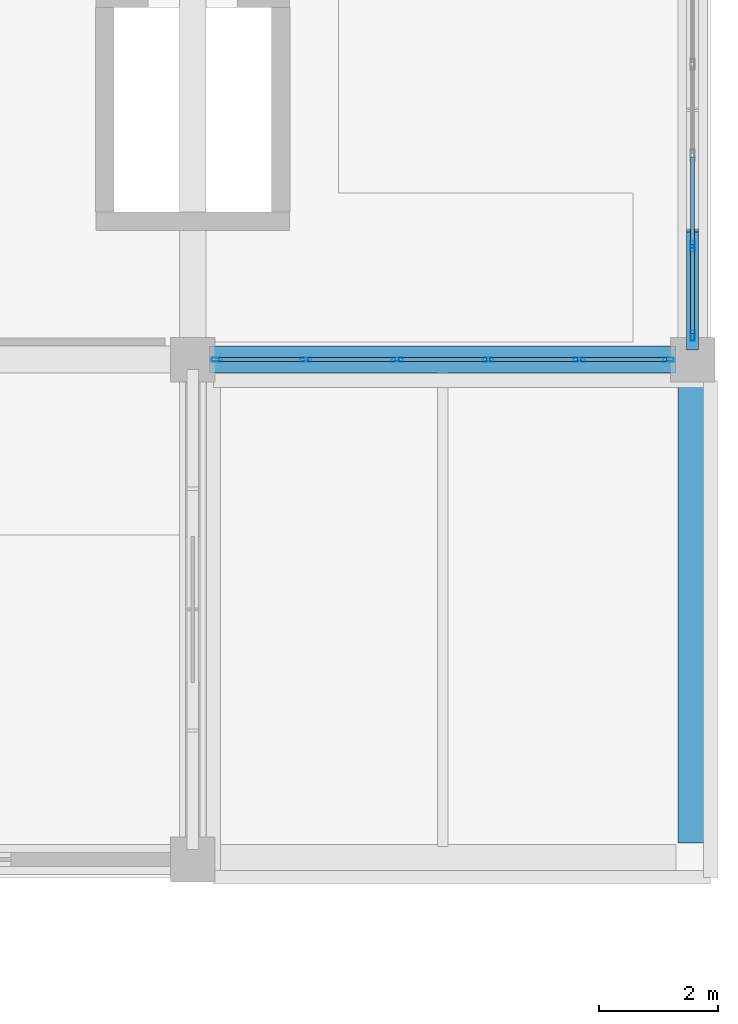
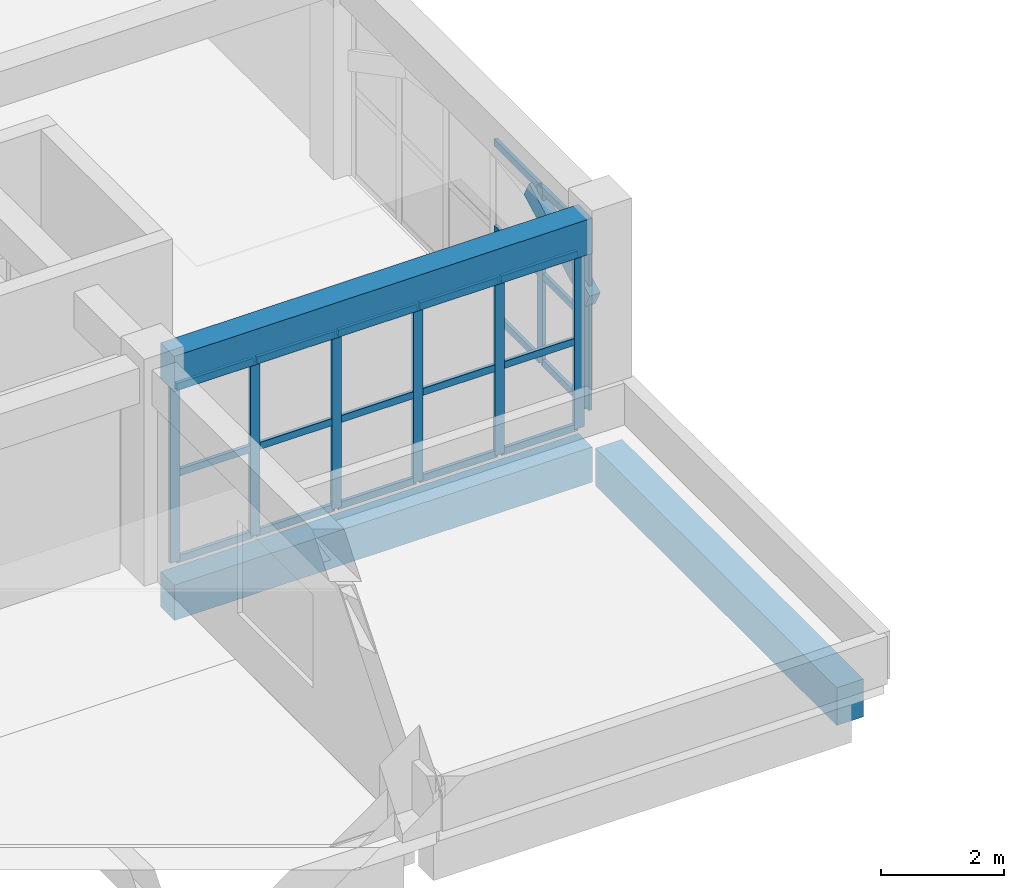
# One storey, part 79 of 114: 30 members, 3 beams, 2 elements without a shape of their own.
"""IFC4 building model written with IfcOpenShell, lengths in metres."""

from ifc_helpers import new_model, si_unit, direction, frame, origin, origin_2d, place, context, subcontext, project, spatial, rectangle, hollow_rectangle, extrude, material, layer, layer_set, material_profile, profile_set, type_object, element, aggregate, save


model = new_model("IFC4")

# Units and contexts
model_context = context("Model", 3, precision=1e-05, world=origin(), true_north=direction((0.0, 1.0)))
body_context = subcontext(model_context, "Body", "Model", "MODEL_VIEW")
ifc_project = project(units=[si_unit("LENGTHUNIT", "METRE"), si_unit("AREAUNIT", "SQUARE_METRE"), si_unit("VOLUMEUNIT", "CUBIC_METRE"), si_unit("PLANEANGLEUNIT", "RADIAN"), si_unit("MASSUNIT", "GRAM", prefix="KILO")], contexts=[model_context])

# Site, building, storey
site_placement = place(None, origin())
site = spatial("IfcSite", under=ifc_project, at=site_placement, CompositionType="ELEMENT")
building_placement = place(site_placement, origin())
building = spatial("IfcBuilding", under=site, at=building_placement, Name="Xazarin Passage Department Store", CompositionType="ELEMENT")
storey_placement = place(building_placement, frame((0.0, 0.0, 14.39990234375)))
storey = spatial("IfcBuildingStorey", under=building, at=storey_placement, Name="L03", CompositionType="ELEMENT", Elevation=14.39990234375)

# Curtain wall, members
ifc_material_1 = material(Name="Bronze anodised aluminium", Category="aluminium")
ifc_layer = layer(ifc_material_1, 0.1650390625)
ifc_layer_set = layer_set([ifc_layer], Name="Bronze anodised aluminium")
curtain_wall_type = type_object("IfcCurtainWallType", Name="ARC-CW-OFF1", PredefinedType="NOTDEFINED", material=ifc_layer_set)
curtain_wall_1_placement = place(storey_placement, origin())
curtain_wall_1 = element("IfcCurtainWall", 1, at=curtain_wall_1_placement, inside=storey, type_object=curtain_wall_type, Name="L03 V4 Curtain Wall 137", PredefinedType="NOTDEFINED")
ifc_material_profile_1 = material_profile(ifc_material_1, hollow_rectangle(XDim=0.06494140625, YDim=0.179931640625, WallThickness=0.00390625, at=origin_2d()), Name="ALU 65x180")
ifc_profile_set_1 = profile_set([ifc_material_profile_1], Name="Bronze anodised aluminium")
member_type_1 = type_object("IfcMemberType", Name="ARC-CWM-65x180", PredefinedType="MULLION", material=ifc_profile_set_1)
member_1_placement = place(storey_placement, frame((136.407470703125, 93.199951171875, 0.0), z_axis=(0.0, 0.0, 1.0), x_axis=(0.0, 1.0, 0.0)))
member_1 = element("IfcMember", 2, at=member_1_placement, type_object=member_type_1, Name="CW6 mullion 1", PredefinedType="MULLION", context=body_context, shape_type="SweptSolid", body=[
    extrude(hollow_rectangle(XDim=0.06494140625, YDim=0.179931640625, WallThickness=0.00390625, at=origin_2d()), origin(), (0.0, 0.0, 1.0), 3.489990234375),
])
member_2_placement = place(storey_placement, frame((137.905029296875, 93.199951171875, 0.0), z_axis=(0.0, 0.0, 1.0), x_axis=(0.0, 1.0, 0.0)))
member_2 = element("IfcMember", 3, at=member_2_placement, type_object=member_type_1, Name="CW6 mullion 2", PredefinedType="MULLION", context=body_context, shape_type="SweptSolid", body=[
    extrude(hollow_rectangle(XDim=0.06494140625, YDim=0.179931640625, WallThickness=0.00390625, at=origin_2d()), origin(), (0.0, 0.0, 1.0), 3.489990234375),
])
member_3_placement = place(storey_placement, frame((139.43505859375, 93.199951171875, 0.0), z_axis=(0.0, 0.0, 1.0), x_axis=(0.0, 1.0, 0.0)))
member_3 = element("IfcMember", 4, at=member_3_placement, type_object=member_type_1, Name="CW6 mullion 3", PredefinedType="MULLION", context=body_context, shape_type="SweptSolid", body=[
    extrude(hollow_rectangle(XDim=0.06494140625, YDim=0.179931640625, WallThickness=0.00390625, at=origin_2d()), origin(), (0.0, 0.0, 1.0), 3.489990234375),
])
member_4_placement = place(storey_placement, frame((140.965087890625, 93.199951171875, 0.0), z_axis=(0.0, 0.0, 1.0), x_axis=(0.0, 1.0, 0.0)))
member_4 = element("IfcMember", 5, at=member_4_placement, type_object=member_type_1, Name="CW6 mullion 4", PredefinedType="MULLION", context=body_context, shape_type="SweptSolid", body=[
    extrude(hollow_rectangle(XDim=0.06494140625, YDim=0.179931640625, WallThickness=0.00390625, at=origin_2d()), origin(), (0.0, 0.0, 1.0), 3.489990234375),
])
member_5_placement = place(storey_placement, frame((142.4951171875, 93.199951171875, 0.0), z_axis=(0.0, 0.0, 1.0), x_axis=(0.0, 1.0, 0.0)))
member_5 = element("IfcMember", 6, at=member_5_placement, type_object=member_type_1, Name="CW6 mullion 5", PredefinedType="MULLION", context=body_context, shape_type="SweptSolid", body=[
    extrude(hollow_rectangle(XDim=0.06494140625, YDim=0.179931640625, WallThickness=0.00390625, at=origin_2d()), origin(), (0.0, 0.0, 1.0), 3.489990234375),
])
member_6_placement = place(storey_placement, frame((143.992431640625, 93.199951171875, 0.0), z_axis=(0.0, 0.0, 1.0), x_axis=(0.0, 1.0, 0.0)))
member_6 = element("IfcMember", 7, at=member_6_placement, type_object=member_type_1, Name="CW6 mullion 6", PredefinedType="MULLION", context=body_context, shape_type="SweptSolid", body=[
    extrude(hollow_rectangle(XDim=0.06494140625, YDim=0.179931640625, WallThickness=0.00390625, at=origin_2d()), origin(), (0.0, 0.0, 1.0), 3.489990234375),
])

curtain_wall_2_placement = place(storey_placement, origin())
curtain_wall_2 = element("IfcCurtainWall", 8, at=curtain_wall_2_placement, inside=storey, type_object=curtain_wall_type, Name="L03 V4 Curtain Wall 140", PredefinedType="NOTDEFINED")
member_7_placement = place(storey_placement, frame((144.39990234375, 93.607421875, 0.0), z_axis=(0.0, 0.0, 1.0), x_axis=(-1.0, 0.0, 0.0)))
member_7 = element("IfcMember", 9, at=member_7_placement, type_object=member_type_1, Name="CW6 mullion 1", PredefinedType="MULLION", context=body_context, shape_type="SweptSolid", body=[
    extrude(hollow_rectangle(XDim=0.06494140625, YDim=0.179931640625, WallThickness=0.00390625, at=origin_2d()), origin(), (0.0, 0.0, 1.0), 3.489990234375),
])
member_8_placement = place(storey_placement, frame((144.39990234375, 95.10498046875, 0.0), z_axis=(0.0, 0.0, 1.0), x_axis=(-1.0, 0.0, 0.0)))
member_8 = element("IfcMember", 10, at=member_8_placement, type_object=member_type_1, Name="CW6 mullion 2", PredefinedType="MULLION", context=body_context, shape_type="SweptSolid", body=[
    extrude(hollow_rectangle(XDim=0.06494140625, YDim=0.179931640625, WallThickness=0.00390625, at=origin_2d()), origin(), (0.0, 0.0, 1.0), 3.489990234375),
])

# Member
ifc_material_profile_2 = material_profile(ifc_material_1, hollow_rectangle(XDim=0.06494140625, YDim=0.139892578125, WallThickness=0.00390625, at=origin_2d()), Name="ALU 65x140")
ifc_profile_set_2 = profile_set([ifc_material_profile_2], Name="Bronze anodised aluminium")
member_type_2 = type_object("IfcMemberType", Name="ARC-CWT-65x140", PredefinedType="USERDEFINED", material=ifc_profile_set_2)
member_9_placement = place(storey_placement, frame((136.43994140625, 93.199951171875, 0.03271484375), z_axis=(1.0, 0.0, 0.0), x_axis=(0.0, 1.0, 0.0)))
member_9 = element("IfcMember", 11, at=member_9_placement, type_object=member_type_2, Name="CW6 transom 1.1", ObjectType="TRANSOM", PredefinedType="USERDEFINED", context=body_context, shape_type="SweptSolid", body=[
    extrude(hollow_rectangle(XDim=0.06494140625, YDim=0.139892578125, WallThickness=0.00390625, at=origin_2d()), origin(), (0.0, 0.0, 1.0), 1.4326171875),
])

member_10_placement = place(storey_placement, frame((136.43994140625, 93.199951171875, 1.7451171875), z_axis=(1.0, 0.0, 0.0), x_axis=(0.0, 1.0, 0.0)))
member_10 = element("IfcMember", 12, at=member_10_placement, type_object=member_type_2, Name="CW6 transom 1.2", ObjectType="TRANSOM", PredefinedType="USERDEFINED", context=body_context, shape_type="SweptSolid", body=[
    extrude(hollow_rectangle(XDim=0.06494140625, YDim=0.139892578125, WallThickness=0.00390625, at=origin_2d()), origin(), (0.0, 0.0, 1.0), 1.4326171875),
])

member_11_placement = place(storey_placement, frame((136.43994140625, 93.199951171875, 3.45751953125), z_axis=(1.0, 0.0, 0.0), x_axis=(0.0, 1.0, 0.0)))
member_11 = element("IfcMember", 13, at=member_11_placement, type_object=member_type_2, Name="CW6 transom 1.3", ObjectType="TRANSOM", PredefinedType="USERDEFINED", context=body_context, shape_type="SweptSolid", body=[
    extrude(hollow_rectangle(XDim=0.06494140625, YDim=0.139892578125, WallThickness=0.00390625, at=origin_2d()), origin(), (0.0, 0.0, 1.0), 1.4326171875),
])

member_12_placement = place(storey_placement, frame((137.9375, 93.199951171875, 0.03271484375), z_axis=(1.0, 0.0, 0.0), x_axis=(0.0, 1.0, 0.0)))
member_12 = element("IfcMember", 14, at=member_12_placement, type_object=member_type_2, Name="CW6 transom 2.1", ObjectType="TRANSOM", PredefinedType="USERDEFINED", context=body_context, shape_type="SweptSolid", body=[
    extrude(hollow_rectangle(XDim=0.06494140625, YDim=0.139892578125, WallThickness=0.00390625, at=origin_2d()), origin(), (0.0, 0.0, 1.0), 1.465087890625),
])

member_13_placement = place(storey_placement, frame((137.9375, 93.199951171875, 1.7451171875), z_axis=(1.0, 0.0, 0.0), x_axis=(0.0, 1.0, 0.0)))
member_13 = element("IfcMember", 15, at=member_13_placement, type_object=member_type_2, Name="CW6 transom 2.2", ObjectType="TRANSOM", PredefinedType="USERDEFINED", context=body_context, shape_type="SweptSolid", body=[
    extrude(hollow_rectangle(XDim=0.06494140625, YDim=0.139892578125, WallThickness=0.00390625, at=origin_2d()), origin(), (0.0, 0.0, 1.0), 1.465087890625),
])

member_14_placement = place(storey_placement, frame((137.9375, 93.199951171875, 3.45751953125), z_axis=(1.0, 0.0, 0.0), x_axis=(0.0, 1.0, 0.0)))
member_14 = element("IfcMember", 16, at=member_14_placement, type_object=member_type_2, Name="CW6 transom 2.3", ObjectType="TRANSOM", PredefinedType="USERDEFINED", context=body_context, shape_type="SweptSolid", body=[
    extrude(hollow_rectangle(XDim=0.06494140625, YDim=0.139892578125, WallThickness=0.00390625, at=origin_2d()), origin(), (0.0, 0.0, 1.0), 1.465087890625),
])

member_15_placement = place(storey_placement, frame((139.467529296875, 93.199951171875, 0.03271484375), z_axis=(1.0, 0.0, 0.0), x_axis=(0.0, 1.0, 0.0)))
member_15 = element("IfcMember", 17, at=member_15_placement, type_object=member_type_2, Name="CW6 transom 3.1", ObjectType="TRANSOM", PredefinedType="USERDEFINED", context=body_context, shape_type="SweptSolid", body=[
    extrude(hollow_rectangle(XDim=0.06494140625, YDim=0.139892578125, WallThickness=0.00390625, at=origin_2d()), origin(), (0.0, 0.0, 1.0), 1.465087890625),
])

member_16_placement = place(storey_placement, frame((139.467529296875, 93.199951171875, 1.7451171875), z_axis=(1.0, 0.0, 0.0), x_axis=(0.0, 1.0, 0.0)))
member_16 = element("IfcMember", 18, at=member_16_placement, type_object=member_type_2, Name="CW6 transom 3.2", ObjectType="TRANSOM", PredefinedType="USERDEFINED", context=body_context, shape_type="SweptSolid", body=[
    extrude(hollow_rectangle(XDim=0.06494140625, YDim=0.139892578125, WallThickness=0.00390625, at=origin_2d()), origin(), (0.0, 0.0, 1.0), 1.465087890625),
])

member_17_placement = place(storey_placement, frame((139.467529296875, 93.199951171875, 3.45751953125), z_axis=(1.0, 0.0, 0.0), x_axis=(0.0, 1.0, 0.0)))
member_17 = element("IfcMember", 19, at=member_17_placement, type_object=member_type_2, Name="CW6 transom 3.3", ObjectType="TRANSOM", PredefinedType="USERDEFINED", context=body_context, shape_type="SweptSolid", body=[
    extrude(hollow_rectangle(XDim=0.06494140625, YDim=0.139892578125, WallThickness=0.00390625, at=origin_2d()), origin(), (0.0, 0.0, 1.0), 1.465087890625),
])

member_18_placement = place(storey_placement, frame((140.99755859375, 93.199951171875, 0.03271484375), z_axis=(1.0, 0.0, 0.0), x_axis=(0.0, 1.0, 0.0)))
member_18 = element("IfcMember", 20, at=member_18_placement, type_object=member_type_2, Name="CW6 transom 4.1", ObjectType="TRANSOM", PredefinedType="USERDEFINED", context=body_context, shape_type="SweptSolid", body=[
    extrude(hollow_rectangle(XDim=0.06494140625, YDim=0.139892578125, WallThickness=0.00390625, at=origin_2d()), origin(), (0.0, 0.0, 1.0), 1.46484375),
])

member_19_placement = place(storey_placement, frame((140.99755859375, 93.199951171875, 1.7451171875), z_axis=(1.0, 0.0, 0.0), x_axis=(0.0, 1.0, 0.0)))
member_19 = element("IfcMember", 21, at=member_19_placement, type_object=member_type_2, Name="CW6 transom 4.2", ObjectType="TRANSOM", PredefinedType="USERDEFINED", context=body_context, shape_type="SweptSolid", body=[
    extrude(hollow_rectangle(XDim=0.06494140625, YDim=0.139892578125, WallThickness=0.00390625, at=origin_2d()), origin(), (0.0, 0.0, 1.0), 1.46484375),
])

member_20_placement = place(storey_placement, frame((140.99755859375, 93.199951171875, 3.45751953125), z_axis=(1.0, 0.0, 0.0), x_axis=(0.0, 1.0, 0.0)))
member_20 = element("IfcMember", 22, at=member_20_placement, type_object=member_type_2, Name="CW6 transom 4.3", ObjectType="TRANSOM", PredefinedType="USERDEFINED", context=body_context, shape_type="SweptSolid", body=[
    extrude(hollow_rectangle(XDim=0.06494140625, YDim=0.139892578125, WallThickness=0.00390625, at=origin_2d()), origin(), (0.0, 0.0, 1.0), 1.46484375),
])

member_21_placement = place(storey_placement, frame((142.527587890625, 93.199951171875, 0.03271484375), z_axis=(1.0, 0.0, 0.0), x_axis=(0.0, 1.0, 0.0)))
member_21 = element("IfcMember", 23, at=member_21_placement, type_object=member_type_2, Name="CW6 transom 5.1", ObjectType="TRANSOM", PredefinedType="USERDEFINED", context=body_context, shape_type="SweptSolid", body=[
    extrude(hollow_rectangle(XDim=0.06494140625, YDim=0.139892578125, WallThickness=0.00390625, at=origin_2d()), origin(), (0.0, 0.0, 1.0), 1.432373046875),
])

member_22_placement = place(storey_placement, frame((142.527587890625, 93.199951171875, 1.7451171875), z_axis=(1.0, 0.0, 0.0), x_axis=(0.0, 1.0, 0.0)))
member_22 = element("IfcMember", 24, at=member_22_placement, type_object=member_type_2, Name="CW6 transom 5.2", ObjectType="TRANSOM", PredefinedType="USERDEFINED", context=body_context, shape_type="SweptSolid", body=[
    extrude(hollow_rectangle(XDim=0.06494140625, YDim=0.139892578125, WallThickness=0.00390625, at=origin_2d()), origin(), (0.0, 0.0, 1.0), 1.432373046875),
])

member_23_placement = place(storey_placement, frame((142.527587890625, 93.199951171875, 3.45751953125), z_axis=(1.0, 0.0, 0.0), x_axis=(0.0, 1.0, 0.0)))
member_23 = element("IfcMember", 25, at=member_23_placement, type_object=member_type_2, Name="CW6 transom 5.3", ObjectType="TRANSOM", PredefinedType="USERDEFINED", context=body_context, shape_type="SweptSolid", body=[
    extrude(hollow_rectangle(XDim=0.06494140625, YDim=0.139892578125, WallThickness=0.00390625, at=origin_2d()), origin(), (0.0, 0.0, 1.0), 1.432373046875),
])

aggregate(curtain_wall_1, [member_1, member_2, member_3, member_4, member_5, member_6, member_9, member_10, member_11, member_12, member_13, member_14, member_15, member_16, member_17, member_18, member_19, member_20, member_21, member_22, member_23])

member_24_placement = place(storey_placement, frame((144.39990234375, 93.639892578125, 0.03271484375), z_axis=(0.0, 1.0, 0.0), x_axis=(-1.0, 0.0, 0.0)))
member_24 = element("IfcMember", 26, at=member_24_placement, type_object=member_type_2, Name="CW6 transom 1.1", ObjectType="TRANSOM", PredefinedType="USERDEFINED", context=body_context, shape_type="SweptSolid", body=[
    extrude(hollow_rectangle(XDim=0.06494140625, YDim=0.139892578125, WallThickness=0.00390625, at=origin_2d()), origin(), (0.0, 0.0, 1.0), 1.4326171875),
])

member_25_placement = place(storey_placement, frame((144.39990234375, 93.639892578125, 1.7451171875), z_axis=(0.0, 1.0, 0.0), x_axis=(-1.0, 0.0, 0.0)))
member_25 = element("IfcMember", 27, at=member_25_placement, type_object=member_type_2, Name="CW6 transom 1.2", ObjectType="TRANSOM", PredefinedType="USERDEFINED", context=body_context, shape_type="SweptSolid", body=[
    extrude(hollow_rectangle(XDim=0.06494140625, YDim=0.139892578125, WallThickness=0.00390625, at=origin_2d()), origin(), (0.0, 0.0, 1.0), 1.4326171875),
])

member_26_placement = place(storey_placement, frame((144.39990234375, 93.639892578125, 3.45751953125), z_axis=(0.0, 1.0, 0.0), x_axis=(-1.0, 0.0, 0.0)))
member_26 = element("IfcMember", 28, at=member_26_placement, type_object=member_type_2, Name="CW6 transom 1.3", ObjectType="TRANSOM", PredefinedType="USERDEFINED", context=body_context, shape_type="SweptSolid", body=[
    extrude(hollow_rectangle(XDim=0.06494140625, YDim=0.139892578125, WallThickness=0.00390625, at=origin_2d()), origin(), (0.0, 0.0, 1.0), 1.4326171875),
])

member_27_placement = place(storey_placement, frame((144.39990234375, 95.137451171875, 0.03271484375), z_axis=(0.0, 1.0, 0.0), x_axis=(-1.0, 0.0, 0.0)))
member_27 = element("IfcMember", 29, at=member_27_placement, type_object=member_type_2, Name="CW6 transom 2.1", ObjectType="TRANSOM", PredefinedType="USERDEFINED", context=body_context, shape_type="SweptSolid", body=[
    extrude(hollow_rectangle(XDim=0.06494140625, YDim=0.139892578125, WallThickness=0.00390625, at=origin_2d()), origin(), (0.0, 0.0, 1.0), 1.465087890625),
])

member_28_placement = place(storey_placement, frame((144.39990234375, 95.137451171875, 1.7451171875), z_axis=(0.0, 1.0, 0.0), x_axis=(-1.0, 0.0, 0.0)))
member_28 = element("IfcMember", 30, at=member_28_placement, type_object=member_type_2, Name="CW6 transom 2.2", ObjectType="TRANSOM", PredefinedType="USERDEFINED", context=body_context, shape_type="SweptSolid", body=[
    extrude(hollow_rectangle(XDim=0.06494140625, YDim=0.139892578125, WallThickness=0.00390625, at=origin_2d()), origin(), (0.0, 0.0, 1.0), 1.465087890625),
])

member_29_placement = place(storey_placement, frame((144.39990234375, 95.137451171875, 3.45751953125), z_axis=(0.0, 1.0, 0.0), x_axis=(-1.0, 0.0, 0.0)))
member_29 = element("IfcMember", 31, at=member_29_placement, type_object=member_type_2, Name="CW6 transom 2.3", ObjectType="TRANSOM", PredefinedType="USERDEFINED", context=body_context, shape_type="SweptSolid", body=[
    extrude(hollow_rectangle(XDim=0.06494140625, YDim=0.139892578125, WallThickness=0.00390625, at=origin_2d()), origin(), (0.0, 0.0, 1.0), 1.465087890625),
])

aggregate(curtain_wall_2, [member_7, member_8, member_24, member_25, member_26, member_27, member_28, member_29])

# Beams
ifc_material_2 = material(Name="Concrete C35/45", Category="concrete")
ifc_material_profile_3 = material_profile(ifc_material_2, rectangle(XDim=0.449951171875, YDim=0.699951171875, at=origin_2d()), Name="RC 450x700")
ifc_profile_set_3 = profile_set([ifc_material_profile_3], Name="Concrete C35/45")
beam_type_1 = type_object("IfcBeamType", Name="STR-BM-G450x700", PredefinedType="BEAM", material=ifc_profile_set_3)
for number, where, z_axis, x_axis, name in (
    (32, (136.280029296875, 93.199951171875, -0.64990234375), (1.0, 0.0, 0.0), (0.0, 1.0, 0.0), "L03 Grid Beam N/19-20"),
    (33, (136.280029296875, 93.199951171875, 3.89013671875), (1.0, 0.0, 0.0), (0.0, 1.0, 0.0), "L03 Grid Beam N/19-20"),
):
    element("IfcBeam", number, at=place(storey_placement, frame(where, z_axis=z_axis, x_axis=x_axis)), inside=storey, type_object=beam_type_1, Name=name, PredefinedType="BEAM", context=body_context, shape_type="SweptSolid", body=[
        extrude(rectangle(XDim=0.449951171875, YDim=0.699951171875, at=origin_2d()), origin(), (0.0, 0.0, 1.0), 7.840087890625),
    ])
ifc_material_profile_4 = material_profile(ifc_material_2, rectangle(XDim=0.5, YDim=0.75, at=origin_2d()), Name="RC 500x750")
ifc_profile_set_4 = profile_set([ifc_material_profile_4], Name="Concrete C35/45")
beam_type_2 = type_object("IfcBeamType", Name="STR-BM-SP500x750", PredefinedType="SPANDREL", material=ifc_profile_set_4)
beam_placement = place(storey_placement, frame((144.39990234375, 85.080078125, -0.6748046875), z_axis=(0.0, 1.0, 0.0), x_axis=(-1.0, 0.0, 0.0)))
element("IfcBeam", 34, at=beam_placement, inside=storey, type_object=beam_type_2, Name="L03 Grid Beam 20/M-N", PredefinedType="SPANDREL", context=body_context, shape_type="SweptSolid", body=[
    extrude(rectangle(XDim=0.5, YDim=0.75, at=origin_2d()), origin(), (0.0, 0.0, 1.0), 7.83984375),
])

# Member
ifc_material_3 = material(Name="Concrete C40/50", Category="concrete")
ifc_material_profile_5 = material_profile(ifc_material_3, rectangle(XDim=0.199951171875, YDim=0.360107421875, at=origin_2d()), Name="RC 200x360")
ifc_profile_set_5 = profile_set([ifc_material_profile_5], Name="Concrete C40/50")
member_type_3 = type_object("IfcMemberType", Name="STR-MEM-ARC360", PredefinedType="CHORD", material=ifc_profile_set_5)
member_30_placement = place(storey_placement, frame((144.39990234375, 93.449951171875, 2.22998046875), z_axis=(0.0, 0.88473311603, 0.466097965454), x_axis=(-1.0, 0.0, 0.0)))
element("IfcMember", 35, at=member_30_placement, inside=storey, type_object=member_type_3, Name="L03 V4 Upper Setback Pierced Arch 051.1", PredefinedType="CHORD", context=body_context, shape_type="SweptSolid", body=[
    extrude(rectangle(XDim=0.199951171875, YDim=0.360107421875, at=origin_2d()), origin(), (0.0, 0.0, 1.0), 2.232421875),
])

save(model, "model.ifc")
